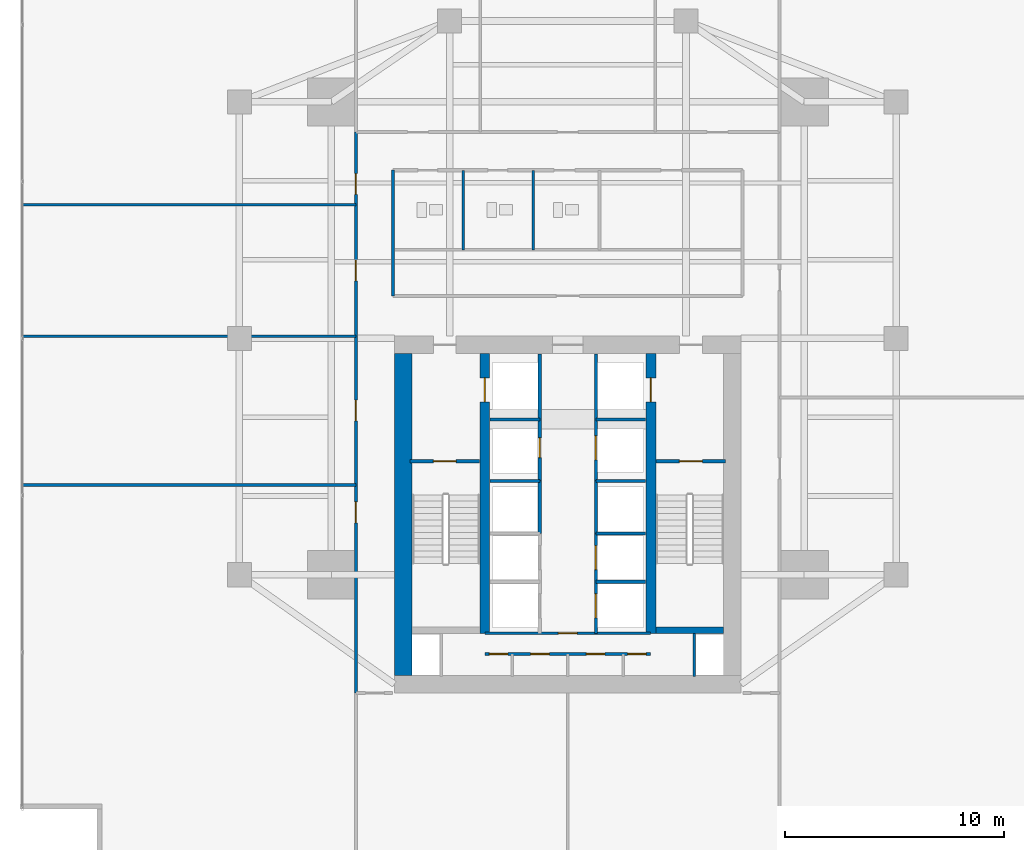
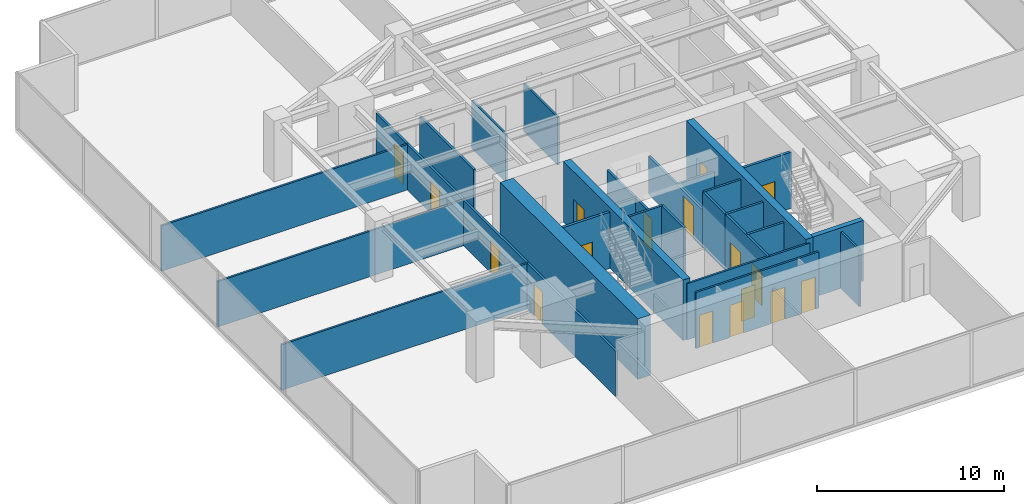
# One storey, part 25 of 28: 27 walls, 17 doors, 17 openings.
"""IFC4 building model written with IfcOpenShell, lengths in metres."""

from ifc_helpers import new_model, si_unit, direction, frame, frame_2d, origin, place, context, subcontext, project, spatial, rectangle, extrude, material, layer, layer_set, type_object, element, fill, save


model = new_model("IFC4")

# Units and contexts
model_context = context("Model", 3, precision=1e-05, world=origin(), true_north=direction((0.0, 1.0)))
body_context = subcontext(model_context, "Body", "Model", "MODEL_VIEW")
ifc_project = project(units=[si_unit("LENGTHUNIT", "METRE"), si_unit("AREAUNIT", "SQUARE_METRE"), si_unit("VOLUMEUNIT", "CUBIC_METRE"), si_unit("PLANEANGLEUNIT", "RADIAN"), si_unit("MASSUNIT", "GRAM", prefix="KILO")], contexts=[model_context])

# Site, building, storey
site_placement = place(None, origin())
site = spatial("IfcSite", under=ifc_project, at=site_placement, CompositionType="ELEMENT")
building_placement = place(site_placement, origin())
building = spatial("IfcBuilding", under=site, at=building_placement, Name="Krantzveldt Concourse Tower", CompositionType="ELEMENT")
storey_placement = place(building_placement, frame((0.0, 0.0, 28.949951171875)))
storey = spatial("IfcBuildingStorey", under=building, at=storey_placement, Name="L06", CompositionType="ELEMENT", Elevation=28.949951171875)

# Wall, opening, door
ifc_material_1 = material(Name="Fire-rated gypsum plasterboard on steel stud", Category="steel")
ifc_layer_1 = layer(ifc_material_1, 0.1201171875, Name="Fire-rated gypsum plasterboard on steel stud", Category="steel")
ifc_layer_set_1 = layer_set([ifc_layer_1], Name="Fire-rated gypsum plasterboard on steel stud (WL-PART-120)")
wall_type_1 = type_object("IfcWallType", Name="WL-PART-120", PredefinedType="PARTITIONING", material=ifc_layer_set_1)
wall_1_placement = place(storey_placement, frame((32.2099609375, 13.219970703125, 0.0), z_axis=(0.0, 0.0, 1.0), x_axis=(1.0, 0.0, 0.0)))
wall_1 = element("IfcWall", 1, at=wall_1_placement, inside=storey, type_object=wall_type_1, Name="WP-L06-CS2H", PredefinedType="PARTITIONING", context=body_context, shape_type="SweptSolid", body=[
    extrude(rectangle(XDim=7.580078125, YDim=0.1201171875, at=frame_2d((3.7900390625, 0.0))), origin(), (0.0, 0.0, 1.0), 3.670166015625),
])
opening_1_placement = place(wall_1_placement, frame((3.364990234375, 0.0, 0.0)))
opening_1 = element("IfcOpeningElement", 2, at=opening_1_placement, cuts=wall_1, Name="Opening D-IN085", PredefinedType="OPENING", context=body_context, shape_type="SweptSolid", body=[
    extrude(rectangle(XDim=0.85009765625, YDim=2.10009765625, at=frame_2d((0.425048828125, 1.050048828125))), frame((0.0, 0.070068359375, 0.0), z_axis=(0.0, -1.0, 0.0), x_axis=(1.0, 0.0, 0.0)), (0.0, 0.0, 1.0), 0.14013671875),
])
ifc_material_2 = material(Name="Hardwood timber", Category="wood")
door_type_1 = type_object("IfcDoorType", Name="DR-INT-850", OperationType="SINGLE_SWING_LEFT", PredefinedType="DOOR", material=ifc_material_2)
door_1_placement = place(opening_1_placement, origin())
door_1 = element("IfcDoor", 3, at=door_1_placement, inside=storey, type_object=door_type_1, Name="DR-L06-LLBS", OperationType="SINGLE_SWING_RIGHT", OverallHeight=2.10009765625, OverallWidth=0.85009765625, PredefinedType="DOOR", context=body_context, shape_type="SweptSolid", body=[
    extrude(rectangle(XDim=0.85009765625, YDim=2.10009765625, at=frame_2d((0.425048828125, 1.050048828125))), frame((0.0, 0.02490234375, 0.0), z_axis=(0.0, -1.0, 0.0), x_axis=(1.0, 0.0, 0.0)), (0.0, 0.0, 1.0), 0.050048828125),
])
fill(opening_1, door_1)

# Wall, openings, doors
wall_2_placement = place(storey_placement, frame((32.2099609375, 12.280029296875, 0.0), z_axis=(0.0, 0.0, 1.0), x_axis=(1.0, 0.0, 0.0)))
wall_2 = element("IfcWall", 4, at=wall_2_placement, inside=storey, type_object=wall_type_1, Name="WP-L06-CSD-HM", PredefinedType="PARTITIONING", context=body_context, shape_type="SweptSolid", body=[
    extrude(rectangle(XDim=7.580078125, YDim=0.1201171875, at=frame_2d((3.7900390625, 0.0))), origin(), (0.0, 0.0, 1.0), 3.670166015625),
])
opening_2_placement = place(wall_2_placement, frame((0.205078125, 0.0, 0.0)))
opening_2 = element("IfcOpeningElement", 5, at=opening_2_placement, cuts=wall_2, Name="Opening D-IN085", PredefinedType="OPENING", context=body_context, shape_type="SweptSolid", body=[
    extrude(rectangle(XDim=0.85009765625, YDim=2.10009765625, at=frame_2d((0.425048828125, 1.050048828125))), frame((0.0, 0.070068359375, 0.0), z_axis=(0.0, -1.0, 0.0), x_axis=(1.0, 0.0, 0.0)), (0.0, 0.0, 1.0), 0.14013671875),
])
opening_3_placement = place(wall_2_placement, frame((2.094970703125, 0.0, 0.0)))
opening_3 = element("IfcOpeningElement", 6, at=opening_3_placement, cuts=wall_2, Name="Opening D-IN085", PredefinedType="OPENING", context=body_context, shape_type="SweptSolid", body=[
    extrude(rectangle(XDim=0.85009765625, YDim=2.10009765625, at=frame_2d((0.425048828125, 1.050048828125))), frame((0.0, 0.070068359375, 0.0), z_axis=(0.0, -1.0, 0.0), x_axis=(1.0, 0.0, 0.0)), (0.0, 0.0, 1.0), 0.14013671875),
])
opening_4_placement = place(wall_2_placement, frame((4.635009765625, 0.0, 0.0)))
opening_4 = element("IfcOpeningElement", 7, at=opening_4_placement, cuts=wall_2, Name="Opening D-IN085", PredefinedType="OPENING", context=body_context, shape_type="SweptSolid", body=[
    extrude(rectangle(XDim=0.85009765625, YDim=2.10009765625, at=frame_2d((0.425048828125, 1.050048828125))), frame((0.0, 0.070068359375, 0.0), z_axis=(0.0, -1.0, 0.0), x_axis=(1.0, 0.0, 0.0)), (0.0, 0.0, 1.0), 0.14013671875),
])
opening_5_placement = place(wall_2_placement, frame((6.52490234375, 0.0, 0.0)))
opening_5 = element("IfcOpeningElement", 8, at=opening_5_placement, cuts=wall_2, Name="Opening D-IN085", PredefinedType="OPENING", context=body_context, shape_type="SweptSolid", body=[
    extrude(rectangle(XDim=0.85009765625, YDim=2.10009765625, at=frame_2d((0.425048828125, 1.050048828125))), frame((0.0, 0.070068359375, 0.0), z_axis=(0.0, -1.0, 0.0), x_axis=(1.0, 0.0, 0.0)), (0.0, 0.0, 1.0), 0.14013671875),
])
door_2_placement = place(opening_2_placement, origin())
door_2 = element("IfcDoor", 9, at=door_2_placement, inside=storey, type_object=door_type_1, Name="DR-L06-CSD1", OperationType="SINGLE_SWING_RIGHT", OverallHeight=2.10009765625, OverallWidth=0.85009765625, PredefinedType="DOOR", context=body_context, shape_type="SweptSolid", body=[
    extrude(rectangle(XDim=0.85009765625, YDim=2.10009765625, at=frame_2d((0.425048828125, 1.050048828125))), frame((0.0, 0.02490234375, 0.0), z_axis=(0.0, -1.0, 0.0), x_axis=(1.0, 0.0, 0.0)), (0.0, 0.0, 1.0), 0.050048828125),
])
fill(opening_2, door_2)
door_3_placement = place(opening_3_placement, origin())
door_3 = element("IfcDoor", 10, at=door_3_placement, inside=storey, type_object=door_type_1, Name="DR-L06-CSD2", OperationType="SINGLE_SWING_RIGHT", OverallHeight=2.10009765625, OverallWidth=0.85009765625, PredefinedType="DOOR", context=body_context, shape_type="SweptSolid", body=[
    extrude(rectangle(XDim=0.85009765625, YDim=2.10009765625, at=frame_2d((0.425048828125, 1.050048828125))), frame((0.0, 0.02490234375, 0.0), z_axis=(0.0, -1.0, 0.0), x_axis=(1.0, 0.0, 0.0)), (0.0, 0.0, 1.0), 0.050048828125),
])
fill(opening_3, door_3)
door_4_placement = place(opening_4_placement, origin())
door_4 = element("IfcDoor", 11, at=door_4_placement, inside=storey, type_object=door_type_1, Name="DR-L06-CSD3", OperationType="SINGLE_SWING_RIGHT", OverallHeight=2.10009765625, OverallWidth=0.85009765625, PredefinedType="DOOR", context=body_context, shape_type="SweptSolid", body=[
    extrude(rectangle(XDim=0.85009765625, YDim=2.10009765625, at=frame_2d((0.425048828125, 1.050048828125))), frame((0.0, 0.02490234375, 0.0), z_axis=(0.0, -1.0, 0.0), x_axis=(1.0, 0.0, 0.0)), (0.0, 0.0, 1.0), 0.050048828125),
])
fill(opening_4, door_4)
door_5_placement = place(opening_5_placement, origin())
door_5 = element("IfcDoor", 12, at=door_5_placement, inside=storey, type_object=door_type_1, Name="DR-L06-CSD4", OperationType="SINGLE_SWING_RIGHT", OverallHeight=2.10009765625, OverallWidth=0.85009765625, PredefinedType="DOOR", context=body_context, shape_type="SweptSolid", body=[
    extrude(rectangle(XDim=0.85009765625, YDim=2.10009765625, at=frame_2d((0.425048828125, 1.050048828125))), frame((0.0, 0.02490234375, 0.0), z_axis=(0.0, -1.0, 0.0), x_axis=(1.0, 0.0, 0.0)), (0.0, 0.0, 1.0), 0.050048828125),
])
fill(opening_5, door_5)

# Walls
for number, where, z_axis, x_axis, name in (
    (13, (31.219970703125, 30.739990234375, 0.0), (0.0, 0.0, 1.0), (0.0, 1.0, 0.0), "WP-L06-WCD1"),
    (14, (34.419921875, 30.739990234375, 0.0), (0.0, 0.0, 1.0), (0.0, 1.0, 0.0), "WP-L06-WCD2"),
):
    element("IfcWall", number, at=place(storey_placement, frame(where, z_axis=z_axis, x_axis=x_axis)), inside=storey, type_object=wall_type_1, Name=name, PredefinedType="PARTITIONING", context=body_context, shape_type="SweptSolid", body=[
        extrude(rectangle(XDim=3.639892578125, YDim=0.1201171875, at=frame_2d((1.81982421875, 0.0))), origin(), (0.0, 0.0, 1.0), 3.1201171875),
    ])
for number, where, z_axis, x_axis, name in (
    (15, (11.090087890625, 20.0, 0.0), (0.0, 0.0, 1.0), (1.0, 0.0, 0.0), "WP-L06-WD1"),
    (16, (11.090087890625, 26.800048828125, 0.0), (0.0, 0.0, 1.0), (1.0, 0.0, 0.0), "WP-L06-WD2"),
    (17, (11.090087890625, 32.800048828125, 0.0), (0.0, 0.0, 1.0), (1.0, 0.0, 0.0), "WP-L06-WD3"),
):
    element("IfcWall", number, at=place(storey_placement, frame(where, z_axis=z_axis, x_axis=x_axis)), inside=storey, type_object=wall_type_1, Name=name, PredefinedType="PARTITIONING", context=body_context, shape_type="SweptSolid", body=[
        extrude(rectangle(XDim=15.22998046875, YDim=0.1201171875, at=frame_2d((7.614990234375, 0.0))), origin(), (0.0, 0.0, 1.0), 2.969970703125),
    ])
ifc_layer_2 = layer(ifc_material_1, 0.139892578125, Name="Fire-rated gypsum plasterboard on steel stud", Category="steel")
ifc_layer_set_2 = layer_set([ifc_layer_2], Name="Fire-rated gypsum plasterboard on steel stud (WL-PART-140)")
wall_type_2 = type_object("IfcWallType", Name="WL-PART-140", PredefinedType="PARTITIONING", material=ifc_layer_set_2)
wall_3_placement = place(storey_placement, frame((28.02001953125, 28.639892578125, 0.0), z_axis=(0.0, 0.0, 1.0), x_axis=(0.0, 1.0, 0.0)))
element("IfcWall", 18, at=wall_3_placement, inside=storey, type_object=wall_type_2, Name="WP-L06-ISLW", PredefinedType="PARTITIONING", context=body_context, shape_type="SweptSolid", body=[
    extrude(rectangle(XDim=5.739990234375, YDim=0.139892578125, at=frame_2d((2.8701171875, 0.0))), origin(), (0.0, 0.0, 1.0), 3.219970703125),
])

# Wall, openings, doors
wall_4_placement = place(storey_placement, frame((26.320068359375, 10.5, 0.0), z_axis=(0.0, 0.0, 1.0), x_axis=(0.0, 1.0, 0.0)))
wall_4 = element("IfcWall", 19, at=wall_4_placement, inside=storey, type_object=wall_type_2, Name="WP-L06-CWEST", PredefinedType="PARTITIONING", context=body_context, shape_type="SweptSolid", body=[
    extrude(rectangle(XDim=25.6201171875, YDim=0.139892578125, at=frame_2d((12.81005859375, 0.0))), origin(), (0.0, 0.0, 1.0), 2.969970703125),
])
opening_6_placement = place(wall_4_placement, frame((7.77490234375, 0.0, 0.0)))
opening_6 = element("IfcOpeningElement", 20, at=opening_6_placement, cuts=wall_4, Name="Opening D-IN095", PredefinedType="OPENING", context=body_context, shape_type="SweptSolid", body=[
    extrude(rectangle(XDim=0.949951171875, YDim=2.10009765625, at=frame_2d((0.47509765625, 1.050048828125))), frame((0.0, 0.080078125, 0.0), z_axis=(0.0, -1.0, 0.0), x_axis=(1.0, 0.0, 0.0)), (0.0, 0.0, 1.0), 0.159912109375),
])
opening_7_placement = place(wall_4_placement, frame((12.425048828125, 0.0, 0.0)))
opening_7 = element("IfcOpeningElement", 21, at=opening_7_placement, cuts=wall_4, Name="Opening D-IN095", PredefinedType="OPENING", context=body_context, shape_type="SweptSolid", body=[
    extrude(rectangle(XDim=0.949951171875, YDim=2.10009765625, at=frame_2d((0.47509765625, 1.050048828125))), frame((0.0, 0.080078125, 0.0), z_axis=(0.0, -1.0, 0.0), x_axis=(1.0, 0.0, 0.0)), (0.0, 0.0, 1.0), 0.159912109375),
])
opening_8_placement = place(wall_4_placement, frame((18.824951171875, 0.0, 0.0)))
opening_8 = element("IfcOpeningElement", 22, at=opening_8_placement, cuts=wall_4, Name="Opening D-IN095", PredefinedType="OPENING", context=body_context, shape_type="SweptSolid", body=[
    extrude(rectangle(XDim=0.949951171875, YDim=2.10009765625, at=frame_2d((0.47509765625, 1.050048828125))), frame((0.0, 0.080078125, 0.0), z_axis=(0.0, -1.0, 0.0), x_axis=(1.0, 0.0, 0.0)), (0.0, 0.0, 1.0), 0.159912109375),
])
opening_9_placement = place(wall_4_placement, frame((22.77490234375, 0.0, 0.0)))
opening_9 = element("IfcOpeningElement", 23, at=opening_9_placement, cuts=wall_4, Name="Opening D-IN095", PredefinedType="OPENING", context=body_context, shape_type="SweptSolid", body=[
    extrude(rectangle(XDim=0.949951171875, YDim=2.10009765625, at=frame_2d((0.47509765625, 1.050048828125))), frame((0.0, 0.080078125, 0.0), z_axis=(0.0, -1.0, 0.0), x_axis=(1.0, 0.0, 0.0)), (0.0, 0.0, 1.0), 0.159912109375),
])
door_type_2 = type_object("IfcDoorType", Name="DR-INT-950", OperationType="SINGLE_SWING_LEFT", PredefinedType="DOOR", material=ifc_material_2)
door_6_placement = place(opening_6_placement, origin())
door_6 = element("IfcDoor", 24, at=door_6_placement, inside=storey, type_object=door_type_2, Name="DR-L06-WR1", OperationType="SINGLE_SWING_LEFT", OverallHeight=2.10009765625, OverallWidth=0.949951171875, PredefinedType="DOOR", context=body_context, shape_type="SweptSolid", body=[
    extrude(rectangle(XDim=0.949951171875, YDim=2.10009765625, at=frame_2d((0.47509765625, 1.050048828125))), frame((0.0, 0.02490234375, 0.0), z_axis=(0.0, -1.0, 0.0), x_axis=(1.0, 0.0, 0.0)), (0.0, 0.0, 1.0), 0.050048828125),
])
fill(opening_6, door_6)
door_7_placement = place(opening_7_placement, origin())
door_7 = element("IfcDoor", 25, at=door_7_placement, inside=storey, type_object=door_type_2, Name="DR-L06-WR2", OperationType="SINGLE_SWING_LEFT", OverallHeight=2.10009765625, OverallWidth=0.949951171875, PredefinedType="DOOR", context=body_context, shape_type="SweptSolid", body=[
    extrude(rectangle(XDim=0.949951171875, YDim=2.10009765625, at=frame_2d((0.47509765625, 1.050048828125))), frame((0.0, 0.02490234375, 0.0), z_axis=(0.0, -1.0, 0.0), x_axis=(1.0, 0.0, 0.0)), (0.0, 0.0, 1.0), 0.050048828125),
])
fill(opening_7, door_7)
door_8_placement = place(opening_8_placement, origin())
door_8 = element("IfcDoor", 26, at=door_8_placement, inside=storey, type_object=door_type_2, Name="DR-L06-WR3", OperationType="SINGLE_SWING_LEFT", OverallHeight=2.10009765625, OverallWidth=0.949951171875, PredefinedType="DOOR", context=body_context, shape_type="SweptSolid", body=[
    extrude(rectangle(XDim=0.949951171875, YDim=2.10009765625, at=frame_2d((0.47509765625, 1.050048828125))), frame((0.0, 0.02490234375, 0.0), z_axis=(0.0, -1.0, 0.0), x_axis=(1.0, 0.0, 0.0)), (0.0, 0.0, 1.0), 0.050048828125),
])
fill(opening_8, door_8)
door_9_placement = place(opening_9_placement, origin())
door_9 = element("IfcDoor", 27, at=door_9_placement, inside=storey, type_object=door_type_2, Name="DR-L06-WR4", OperationType="SINGLE_SWING_LEFT", OverallHeight=2.10009765625, OverallWidth=0.949951171875, PredefinedType="DOOR", context=body_context, shape_type="SweptSolid", body=[
    extrude(rectangle(XDim=0.949951171875, YDim=2.10009765625, at=frame_2d((0.47509765625, 1.050048828125))), frame((0.0, 0.02490234375, 0.0), z_axis=(0.0, -1.0, 0.0), x_axis=(1.0, 0.0, 0.0)), (0.0, 0.0, 1.0), 0.050048828125),
])
fill(opening_9, door_9)

# Wall, opening, door
ifc_layer_3 = layer(ifc_material_1, 0.139892578125, Name="Fire-rated gypsum plasterboard on steel stud", Category="steel")
ifc_layer_set_3 = layer_set([ifc_layer_3], Name="Fire-rated gypsum plasterboard on steel stud (WL-PART-FR140)")
wall_type_3 = type_object("IfcWallType", Name="WL-PART-FR140", PredefinedType="PARTITIONING", material=ifc_layer_set_3)
wall_5_placement = place(storey_placement, frame((34.719970703125, 20.199951171875, 0.0), z_axis=(0.0, 0.0, 1.0), x_axis=(0.0, 1.0, 0.0)))
wall_5 = element("IfcWall", 28, at=wall_5_placement, inside=storey, type_object=wall_type_3, Name="WP-L06-SHNW", PredefinedType="PARTITIONING", context=body_context, shape_type="SweptSolid", body=[
    extrude(rectangle(XDim=5.780029296875, YDim=0.139892578125, at=frame_2d((2.89013671875, 0.0))), origin(), (0.0, 0.0, 1.0), 2.469970703125),
])
opening_10_placement = place(wall_5_placement, frame((1.050048828125, 0.0, 0.0)))
opening_10 = element("IfcOpeningElement", 29, at=opening_10_placement, cuts=wall_5, Name="Opening D-FD090", PredefinedType="OPENING", context=body_context, shape_type="SweptSolid", body=[
    extrude(rectangle(XDim=0.89990234375, YDim=2.10009765625, at=frame_2d((0.449951171875, 1.050048828125))), frame((0.0, 0.080078125, 0.0), z_axis=(0.0, -1.0, 0.0), x_axis=(1.0, 0.0, 0.0)), (0.0, 0.0, 1.0), 0.159912109375),
])
door_type_3 = type_object("IfcDoorType", Name="DR-FD60-900", OperationType="SINGLE_SWING_LEFT", PredefinedType="DOOR", material=ifc_material_2)
door_10_placement = place(opening_10_placement, origin())
door_10 = element("IfcDoor", 30, at=door_10_placement, inside=storey, type_object=door_type_3, Name="Electrical Riser Access Door L06", OperationType="SINGLE_SWING_LEFT", OverallHeight=2.10009765625, OverallWidth=0.89990234375, PredefinedType="DOOR", context=body_context, shape_type="SweptSolid", body=[
    extrude(rectangle(XDim=0.89990234375, YDim=2.10009765625, at=frame_2d((0.449951171875, 1.050048828125))), frame((0.0, 0.02490234375, 0.0), z_axis=(0.0, -1.0, 0.0), x_axis=(1.0, 0.0, 0.0)), (0.0, 0.0, 1.0), 0.050048828125),
])
fill(opening_10, door_10)

wall_6_placement = place(storey_placement, frame((37.280029296875, 20.199951171875, 0.0), z_axis=(0.0, 0.0, 1.0), x_axis=(0.0, 1.0, 0.0)))
wall_6 = element("IfcWall", 31, at=wall_6_placement, inside=storey, type_object=wall_type_3, Name="WP-L06-SHNE", PredefinedType="PARTITIONING", context=body_context, shape_type="SweptSolid", body=[
    extrude(rectangle(XDim=5.780029296875, YDim=0.139892578125, at=frame_2d((2.89013671875, 0.0))), origin(), (0.0, 0.0, 1.0), 2.469970703125),
])
opening_11_placement = place(wall_6_placement, frame((0.949951171875, 0.0, 0.0)))
opening_11 = element("IfcOpeningElement", 32, at=opening_11_placement, cuts=wall_6, Name="Opening LD", PredefinedType="OPENING", context=body_context, shape_type="SweptSolid", body=[
    extrude(rectangle(XDim=1.10009765625, YDim=2.14990234375, at=frame_2d((0.550048828125, 1.074951171875))), frame((0.0, 0.080078125, 0.0), z_axis=(0.0, -1.0, 0.0), x_axis=(1.0, 0.0, 0.0)), (0.0, 0.0, 1.0), 0.159912109375),
])
ifc_material_3 = material(Name="Stainless steel 316L", Category="steel")
door_type_4 = type_object("IfcDoorType", Name="DR-SLIDE-LD1100", OperationType="DOUBLE_DOOR_SLIDING", PredefinedType="DOOR", material=ifc_material_3)
door_11_placement = place(opening_11_placement, origin())
door_11 = element("IfcDoor", 33, at=door_11_placement, inside=storey, type_object=door_type_4, Name="LD-L06-GL1", OperationType="DOUBLE_DOOR_SLIDING", OverallHeight=2.14990234375, OverallWidth=1.10009765625, PredefinedType="DOOR", context=body_context, shape_type="SweptSolid", body=[
    extrude(rectangle(XDim=1.10009765625, YDim=2.14990234375, at=frame_2d((0.550048828125, 1.074951171875))), frame((0.0, 0.02490234375, 0.0), z_axis=(0.0, -1.0, 0.0), x_axis=(1.0, 0.0, 0.0)), (0.0, 0.0, 1.0), 0.050048828125),
])
fill(opening_11, door_11)

# Walls
for number, where, z_axis, x_axis, name in (
    (34, (32.449951171875, 23.0, 0.0), (0.0, 0.0, 1.0), (1.0, 0.0, 0.0), "WP-L06-RISH"),
    (35, (37.280029296875, 23.0, 0.0), (0.0, 0.0, 1.0), (1.0, 0.0, 0.0), "WP-L06-GLH"),
):
    element("IfcWall", number, at=place(storey_placement, frame(where, z_axis=z_axis, x_axis=x_axis)), inside=storey, type_object=wall_type_3, Name=name, PredefinedType="PARTITIONING", context=body_context, shape_type="SweptSolid", body=[
        extrude(rectangle(XDim=2.27001953125, YDim=0.139892578125, at=frame_2d((1.135009765625, 0.0))), origin(), (0.0, 0.0, 1.0), 2.469970703125),
    ])
for number, where, z_axis, x_axis, name in (
    (36, (34.719970703125, 17.780029296875, 0.0), (0.0, 0.0, 1.0), (0.0, 1.0, 0.0), "WP-L06-SHNW2"),
    (37, (37.280029296875, 17.780029296875, 0.0), (0.0, 0.0, 1.0), (0.0, 1.0, 0.0), "WP-L06-SHNE2"),
):
    element("IfcWall", number, at=place(storey_placement, frame(where, z_axis=z_axis, x_axis=x_axis)), inside=storey, type_object=wall_type_3, Name=name, PredefinedType="PARTITIONING", context=body_context, shape_type="SweptSolid", body=[
        extrude(rectangle(XDim=2.419921875, YDim=0.139892578125, at=frame_2d((1.2099609375, 0.0))), origin(), (0.0, 0.0, 1.0), 3.670166015625),
    ])
for number, where, z_axis, x_axis, name in (
    (38, (32.449951171875, 20.179931640625, 0.0), (0.0, 0.0, 1.0), (1.0, 0.0, 0.0), "WP-L06-DIVW3"),
    (39, (37.280029296875, 17.780029296875, 0.0), (0.0, 0.0, 1.0), (1.0, 0.0, 0.0), "WP-L06-DIVE2"),
    (40, (37.280029296875, 20.179931640625, 0.0), (0.0, 0.0, 1.0), (1.0, 0.0, 0.0), "WP-L06-DIVE3"),
):
    element("IfcWall", number, at=place(storey_placement, frame(where, z_axis=z_axis, x_axis=x_axis)), inside=storey, type_object=wall_type_3, Name=name, PredefinedType="PARTITIONING", context=body_context, shape_type="SweptSolid", body=[
        extrude(rectangle(XDim=2.27001953125, YDim=0.139892578125, at=frame_2d((1.135009765625, 0.0))), origin(), (0.0, 0.0, 1.0), 3.670166015625),
    ])

# Wall, openings, doors
wall_7_placement = place(storey_placement, frame((37.280029296875, 13.219970703125, 0.0), z_axis=(0.0, 0.0, 1.0), x_axis=(0.0, 1.0, 0.0)))
wall_7 = element("IfcWall", 41, at=wall_7_placement, inside=storey, type_object=wall_type_3, Name="WP-L06-SHSE", PredefinedType="PARTITIONING", context=body_context, shape_type="SweptSolid", body=[
    extrude(rectangle(XDim=4.56005859375, YDim=0.139892578125, at=frame_2d((2.280029296875, 0.0))), origin(), (0.0, 0.0, 1.0), 3.670166015625),
])
opening_12_placement = place(wall_7_placement, frame((0.7099609375, 0.0, 0.0)))
opening_12 = element("IfcOpeningElement", 42, at=opening_12_placement, cuts=wall_7, Name="Opening LD", PredefinedType="OPENING", context=body_context, shape_type="SweptSolid", body=[
    extrude(rectangle(XDim=1.10009765625, YDim=2.14990234375, at=frame_2d((0.550048828125, 1.074951171875))), frame((0.0, 0.080078125, 0.0), z_axis=(0.0, -1.0, 0.0), x_axis=(1.0, 0.0, 0.0)), (0.0, 0.0, 1.0), 0.159912109375),
])
opening_13_placement = place(wall_7_placement, frame((2.909912109375, 0.0, 0.0)))
opening_13 = element("IfcOpeningElement", 43, at=opening_13_placement, cuts=wall_7, Name="Opening LD", PredefinedType="OPENING", context=body_context, shape_type="SweptSolid", body=[
    extrude(rectangle(XDim=1.10009765625, YDim=2.14990234375, at=frame_2d((0.550048828125, 1.074951171875))), frame((0.0, 0.080078125, 0.0), z_axis=(0.0, -1.0, 0.0), x_axis=(1.0, 0.0, 0.0)), (0.0, 0.0, 1.0), 0.159912109375),
])
door_12_placement = place(opening_12_placement, origin())
door_12 = element("IfcDoor", 44, at=door_12_placement, inside=storey, type_object=door_type_4, Name="LD-L06-PM1", OperationType="DOUBLE_DOOR_SLIDING", OverallHeight=2.14990234375, OverallWidth=1.10009765625, PredefinedType="DOOR", context=body_context, shape_type="SweptSolid", body=[
    extrude(rectangle(XDim=1.10009765625, YDim=2.14990234375, at=frame_2d((0.550048828125, 1.074951171875))), frame((0.0, 0.02490234375, 0.0), z_axis=(0.0, -1.0, 0.0), x_axis=(1.0, 0.0, 0.0)), (0.0, 0.0, 1.0), 0.050048828125),
])
fill(opening_12, door_12)
door_13_placement = place(opening_13_placement, origin())
door_13 = element("IfcDoor", 45, at=door_13_placement, inside=storey, type_object=door_type_4, Name="LD-L06-PM2", OperationType="DOUBLE_DOOR_SLIDING", OverallHeight=2.14990234375, OverallWidth=1.10009765625, PredefinedType="DOOR", context=body_context, shape_type="SweptSolid", body=[
    extrude(rectangle(XDim=1.10009765625, YDim=2.14990234375, at=frame_2d((0.550048828125, 1.074951171875))), frame((0.0, 0.02490234375, 0.0), z_axis=(0.0, -1.0, 0.0), x_axis=(1.0, 0.0, 0.0)), (0.0, 0.0, 1.0), 0.050048828125),
])
fill(opening_13, door_13)

# Walls
wall_8_placement = place(storey_placement, frame((37.280029296875, 15.580078125, 0.0), z_axis=(0.0, 0.0, 1.0), x_axis=(1.0, 0.0, 0.0)))
element("IfcWall", 46, at=wall_8_placement, inside=storey, type_object=wall_type_3, Name="WP-L06-DIVE1", PredefinedType="PARTITIONING", context=body_context, shape_type="SweptSolid", body=[
    extrude(rectangle(XDim=2.27001953125, YDim=0.139892578125, at=frame_2d((1.135009765625, 0.0))), origin(), (0.0, 0.0, 1.0), 3.670166015625),
])
wall_9_placement = place(storey_placement, frame((41.780029296875, 11.25, 0.0), z_axis=(0.0, 0.0, 1.0), x_axis=(0.0, 1.0, 0.0)))
element("IfcWall", 47, at=wall_9_placement, inside=storey, type_object=wall_type_3, Name="WP-L06-RSE", PredefinedType="PARTITIONING", context=body_context, shape_type="SweptSolid", body=[
    extrude(rectangle(XDim=1.969970703125, YDim=0.1201171875, at=frame_2d((0.98486328125, 0.0))), origin(), (0.0, 0.0, 1.0), 3.670166015625),
])

# Wall, opening, door
ifc_layer_4 = layer(ifc_material_1, 0.159912109375, Name="Fire-rated gypsum plasterboard on steel stud", Category="steel")
ifc_layer_set_4 = layer_set([ifc_layer_4], Name="Fire-rated gypsum plasterboard on steel stud (WL-PART-FR160)")
wall_type_4 = type_object("IfcWallType", Name="WL-PART-FR160", PredefinedType="PARTITIONING", material=ifc_layer_set_4)
wall_10_placement = place(storey_placement, frame((28.800048828125, 21.080078125, 0.0), z_axis=(0.0, 0.0, 1.0), x_axis=(1.0, 0.0, 0.0)))
wall_10 = element("IfcWall", 48, at=wall_10_placement, inside=storey, type_object=wall_type_4, Name="WP-L06-ST1", PredefinedType="PARTITIONING", context=body_context, shape_type="SweptSolid", body=[
    extrude(rectangle(XDim=3.159912109375, YDim=0.159912109375, at=frame_2d((1.580078125, 0.0))), origin(), (0.0, 0.0, 1.0), 3.670166015625),
])
opening_14_placement = place(wall_10_placement, frame((1.054931640625, 0.0, 0.0)))
opening_14 = element("IfcOpeningElement", 49, at=opening_14_placement, cuts=wall_10, Name="Opening D-FD105", PredefinedType="OPENING", context=body_context, shape_type="SweptSolid", body=[
    extrude(rectangle(XDim=1.050048828125, YDim=2.10009765625, at=frame_2d((0.52490234375, 1.050048828125))), frame((0.0, 0.08984375, 0.0), z_axis=(0.0, -1.0, 0.0), x_axis=(1.0, 0.0, 0.0)), (0.0, 0.0, 1.0), 0.179931640625),
])
ifc_material_4 = material(Name="Galvanised steel", Category="steel")
door_type_5 = type_object("IfcDoorType", Name="DR-FD120-1050", OperationType="SINGLE_SWING_LEFT", PredefinedType="DOOR", material=ifc_material_4)
door_14_placement = place(opening_14_placement, origin())
door_14 = element("IfcDoor", 50, at=door_14_placement, inside=storey, type_object=door_type_5, Name="DR-L06-ST1", OperationType="SINGLE_SWING_RIGHT", OverallHeight=2.10009765625, OverallWidth=1.050048828125, PredefinedType="DOOR", context=body_context, shape_type="SweptSolid", body=[
    extrude(rectangle(XDim=1.050048828125, YDim=2.10009765625, at=frame_2d((0.52490234375, 1.050048828125))), frame((0.0, 0.02490234375, 0.0), z_axis=(0.0, -1.0, 0.0), x_axis=(1.0, 0.0, 0.0)), (0.0, 0.0, 1.0), 0.050048828125),
])
fill(opening_14, door_14)

wall_11_placement = place(storey_placement, frame((40.0400390625, 21.080078125, 0.0), z_axis=(0.0, 0.0, 1.0), x_axis=(1.0, 0.0, 0.0)))
wall_11 = element("IfcWall", 51, at=wall_11_placement, inside=storey, type_object=wall_type_4, Name="WP-L06-ST2", PredefinedType="PARTITIONING", context=body_context, shape_type="SweptSolid", body=[
    extrude(rectangle(XDim=3.159912109375, YDim=0.159912109375, at=frame_2d((1.580078125, 0.0))), origin(), (0.0, 0.0, 1.0), 3.670166015625),
])
opening_15_placement = place(wall_11_placement, frame((1.054931640625, 0.0, 0.0)))
opening_15 = element("IfcOpeningElement", 52, at=opening_15_placement, cuts=wall_11, Name="Opening D-FD105", PredefinedType="OPENING", context=body_context, shape_type="SweptSolid", body=[
    extrude(rectangle(XDim=1.050048828125, YDim=2.10009765625, at=frame_2d((0.52490234375, 1.050048828125))), frame((0.0, 0.08984375, 0.0), z_axis=(0.0, -1.0, 0.0), x_axis=(1.0, 0.0, 0.0)), (0.0, 0.0, 1.0), 0.179931640625),
])
door_15_placement = place(opening_15_placement, origin())
door_15 = element("IfcDoor", 53, at=door_15_placement, inside=storey, type_object=door_type_5, Name="DR-L06-ST2", OperationType="SINGLE_SWING_LEFT", OverallHeight=2.10009765625, OverallWidth=1.050048828125, PredefinedType="DOOR", context=body_context, shape_type="SweptSolid", body=[
    extrude(rectangle(XDim=1.050048828125, YDim=2.10009765625, at=frame_2d((0.52490234375, 1.050048828125))), frame((0.0, 0.02490234375, 0.0), z_axis=(0.0, -1.0, 0.0), x_axis=(1.0, 0.0, 0.0)), (0.0, 0.0, 1.0), 0.050048828125),
])
fill(opening_15, door_15)

# Wall
ifc_material_5 = material(Name="Concrete C50/60", Category="concrete")
ifc_layer_5 = layer(ifc_material_5, 0.300048828125, Name="Concrete C50/60", Category="concrete")
ifc_layer_set_5 = layer_set([ifc_layer_5], Name="Concrete C50/60 (WL-SHEAR-300)")
wall_type_5 = type_object("IfcWallType", Name="WL-SHEAR-300", PredefinedType="SHEAR", material=ifc_layer_set_5)
wall_12_placement = place(storey_placement, frame((40.02001953125, 13.3701171875, 0.0), z_axis=(0.0, 0.0, 1.0), x_axis=(1.0, 0.0, 0.0)))
element("IfcWall", 54, at=wall_12_placement, inside=storey, type_object=wall_type_5, Name="CW-L06-ST2S", PredefinedType="SHEAR", context=body_context, shape_type="SweptSolid", body=[
    extrude(rectangle(XDim=3.10009765625, YDim=0.300048828125, at=frame_2d((1.550048828125, 0.0))), origin(), (0.0, 0.0, 1.0), 3.949951171875),
])

# Wall, opening, door
ifc_layer_6 = layer(ifc_material_5, 0.449951171875, Name="Concrete C50/60", Category="concrete")
ifc_layer_set_6 = layer_set([ifc_layer_6], Name="Concrete C50/60 (WL-SHEAR-450)")
wall_type_6 = type_object("IfcWallType", Name="WL-SHEAR-450", PredefinedType="SHEAR", material=ifc_layer_set_6)
wall_13_placement = place(storey_placement, frame((32.205078125, 13.219970703125, 0.0), z_axis=(0.0, 0.0, 1.0), x_axis=(0.0, 1.0, 0.0)))
wall_13 = element("IfcWall", 55, at=wall_13_placement, inside=storey, type_object=wall_type_6, Name="CW-L06-IW", PredefinedType="SHEAR", context=body_context, shape_type="SweptSolid", body=[
    extrude(rectangle(XDim=12.780029296875, YDim=0.449951171875, at=frame_2d((6.39013671875, 0.0))), origin(), (0.0, 0.0, 1.0), 3.949951171875),
])
opening_16_placement = place(wall_13_placement, frame((10.580078125, 0.0, 0.0)))
opening_16 = element("IfcOpeningElement", 56, at=opening_16_placement, cuts=wall_13, Name="Opening LD", PredefinedType="OPENING", context=body_context, shape_type="SweptSolid", body=[
    extrude(rectangle(XDim=1.10009765625, YDim=2.14990234375, at=frame_2d((0.550048828125, 1.074951171875))), frame((0.0, 0.23486328125, 0.0), z_axis=(0.0, -1.0, 0.0), x_axis=(1.0, 0.0, 0.0)), (0.0, 0.0, 1.0), 0.469970703125),
])
door_16_placement = place(opening_16_placement, origin())
door_16 = element("IfcDoor", 57, at=door_16_placement, inside=storey, type_object=door_type_4, Name="LD-L06-FL1", OperationType="DOUBLE_DOOR_SLIDING", OverallHeight=2.14990234375, OverallWidth=1.10009765625, PredefinedType="DOOR", context=body_context, shape_type="SweptSolid", body=[
    extrude(rectangle(XDim=1.10009765625, YDim=2.14990234375, at=frame_2d((0.550048828125, 1.074951171875))), frame((0.0, 0.02490234375, 0.0), z_axis=(0.0, -1.0, 0.0), x_axis=(1.0, 0.0, 0.0)), (0.0, 0.0, 1.0), 0.050048828125),
])
fill(opening_16, door_16)

wall_14_placement = place(storey_placement, frame((39.794921875, 13.219970703125, 0.0), z_axis=(0.0, 0.0, 1.0), x_axis=(0.0, 1.0, 0.0)))
wall_14 = element("IfcWall", 58, at=wall_14_placement, inside=storey, type_object=wall_type_6, Name="CW-L06-IE", PredefinedType="SHEAR", context=body_context, shape_type="SweptSolid", body=[
    extrude(rectangle(XDim=12.780029296875, YDim=0.449951171875, at=frame_2d((6.39013671875, 0.0))), origin(), (0.0, 0.0, 1.0), 3.949951171875),
])
opening_17_placement = place(wall_14_placement, frame((10.580078125, 0.0, 0.0)))
opening_17 = element("IfcOpeningElement", 59, at=opening_17_placement, cuts=wall_14, Name="Opening LD", PredefinedType="OPENING", context=body_context, shape_type="SweptSolid", body=[
    extrude(rectangle(XDim=1.10009765625, YDim=2.14990234375, at=frame_2d((0.550048828125, 1.074951171875))), frame((0.0, 0.23486328125, 0.0), z_axis=(0.0, -1.0, 0.0), x_axis=(1.0, 0.0, 0.0)), (0.0, 0.0, 1.0), 0.469970703125),
])
door_17_placement = place(opening_17_placement, origin())
door_17 = element("IfcDoor", 60, at=door_17_placement, inside=storey, type_object=door_type_4, Name="LD-L06-FL2", OperationType="DOUBLE_DOOR_SLIDING", OverallHeight=2.14990234375, OverallWidth=1.10009765625, PredefinedType="DOOR", context=body_context, shape_type="SweptSolid", body=[
    extrude(rectangle(XDim=1.10009765625, YDim=2.14990234375, at=frame_2d((0.550048828125, 1.074951171875))), frame((0.0, 0.02490234375, 0.0), z_axis=(0.0, -1.0, 0.0), x_axis=(1.0, 0.0, 0.0)), (0.0, 0.0, 1.0), 0.050048828125),
])
fill(opening_17, door_17)

# Wall
ifc_material_6 = material(Name="Concrete C60/75", Category="concrete")
ifc_layer_7 = layer(ifc_material_6, 0.800048828125, Name="Concrete C60/75", Category="concrete")
ifc_layer_set_7 = layer_set([ifc_layer_7], Name="Concrete C60/75 (WL-SHEAR-800)")
wall_type_7 = type_object("IfcWallType", Name="WL-SHEAR-800", PredefinedType="SHEAR", material=ifc_layer_set_7)
wall_15_placement = place(storey_placement, frame((28.47998046875, 11.300048828125, 0.0), z_axis=(0.0, 0.0, 1.0), x_axis=(0.0, 1.0, 0.0)))
element("IfcWall", 61, at=wall_15_placement, inside=storey, type_object=wall_type_7, Name="CW-L06-W", PredefinedType="SHEAR", context=body_context, shape_type="SweptSolid", body=[
    extrude(rectangle(XDim=14.699951171875, YDim=0.800048828125, at=frame_2d((7.35009765625, 0.0))), origin(), (0.0, 0.0, 1.0), 3.949951171875),
])

save(model, "model.ifc")
